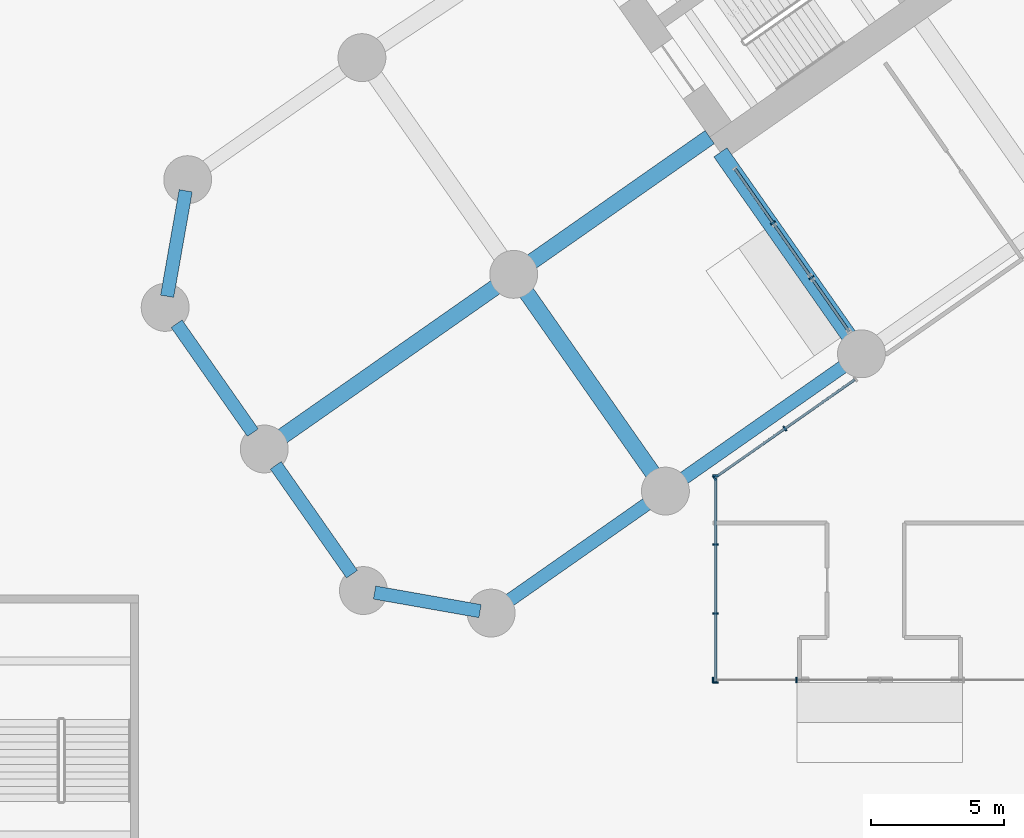
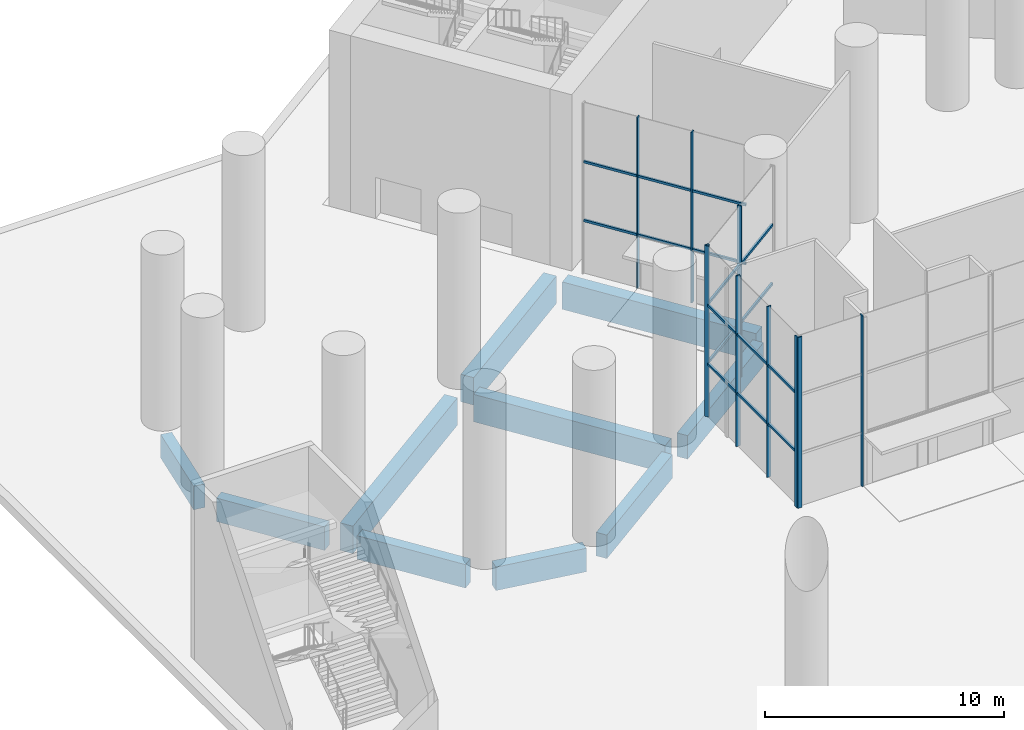
# One storey, part 4 of 37: 16 members, 10 beams, 4 elements without a shape of their own.
"""IFC4 building model written with IfcOpenShell, lengths in metres."""

from ifc_helpers import new_model, si_unit, direction, frame, origin, origin_2d, place, context, subcontext, project, spatial, rectangle, extrude, material, material_profile, profile_set, type_object, element, aggregate, save


model = new_model("IFC4")

# Units and contexts
model_context = context("Model", 3, precision=1e-05, world=origin(), true_north=direction((0.0, 1.0)))
body_context = subcontext(model_context, "Body", "Model", "MODEL_VIEW")
ifc_project = project(units=[si_unit("LENGTHUNIT", "METRE"), si_unit("AREAUNIT", "SQUARE_METRE"), si_unit("VOLUMEUNIT", "CUBIC_METRE"), si_unit("PLANEANGLEUNIT", "RADIAN"), si_unit("MASSUNIT", "GRAM", prefix="KILO")], contexts=[model_context])

# Site, building, storey
site_placement = place(None, origin())
site = spatial("IfcSite", under=ifc_project, at=site_placement, CompositionType="ELEMENT")
building_placement = place(site_placement, origin())
building = spatial("IfcBuilding", under=site, at=building_placement, Name="Tel Ilan Convention Tower", CompositionType="ELEMENT")
storey_placement = place(building_placement, origin())
storey = spatial("IfcBuildingStorey", under=building, at=storey_placement, Name="L00", CompositionType="ELEMENT", Elevation=0.0)

# Beams
ifc_material_1 = material(Name="Concrete C40/50", Category="concrete")
ifc_material_profile_1 = material_profile(ifc_material_1, rectangle(XDim=0.5, YDim=1.199951171875, at=origin_2d()), Name="RC 500x1200")
ifc_profile_set_1 = profile_set([ifc_material_profile_1], Name="Concrete C40/50")
beam_type_1 = type_object("IfcBeamType", Name="Beam RC 500x1200 Concrete C40/50", PredefinedType="BEAM", material=ifc_profile_set_1)
beam_1_placement = place(storey_placement, frame((-17.0244140625, -24.0673828125, -1.050048828125), z_axis=(-0.81915238829, -0.573575945067, 0.0), x_axis=(0.573575945067, -0.81915238829, 0.0)))
element("IfcBeam", 1, at=beam_1_placement, inside=storey, type_object=beam_type_1, Name="L00 beam W-W-F3-W-F4", PredefinedType="BEAM", context=body_context, shape_type="SweptSolid", body=[
    extrude(rectangle(XDim=0.5, YDim=1.199951171875, at=origin_2d()), origin(), (0.0, 0.0, 1.0), 7.5),
])
beam_2_placement = place(storey_placement, frame((-24.396728515625, -29.2294921875, -1.050048828125), z_axis=(-0.819148977158, -0.573580816643, 0.0), x_axis=(0.573580816643, -0.819148977158, 0.0)))
element("IfcBeam", 2, at=beam_2_placement, inside=storey, type_object=beam_type_1, Name="L00 beam W-W-F4-W-FC", PredefinedType="BEAM", context=body_context, shape_type="SweptSolid", body=[
    extrude(rectangle(XDim=0.5, YDim=1.199951171875, at=origin_2d()), origin(), (0.0, 0.0, 1.0), 6.5),
])
beam_3_placement = place(storey_placement, frame((-30.75341796875, -33.314208984375, -1.050048828125), z_axis=(-0.984815252405, 0.173605641124, 0.0), x_axis=(-0.173605641124, -0.984815252405, 0.0)))
element("IfcBeam", 3, at=beam_3_placement, inside=storey, type_object=beam_type_1, Name="L00 beam W-W-FC-W-E1", PredefinedType="BEAM", context=body_context, shape_type="SweptSolid", body=[
    extrude(rectangle(XDim=0.5, YDim=1.199951171875, at=origin_2d()), origin(), (0.0, 0.0, 1.0), 4.030517578125),
])
for number, where, z_axis, x_axis, name in (
    (4, (-35.57080078125, -31.92626953125, -1.050048828125), (-0.573586866468, 0.819144740944, 0.0), (-0.819144740944, -0.573586866468, 0.0), "L00 beam W-W-E1-W-E2"),
    (5, (-39.298828125, -26.601806640625, -1.050048828125), (-0.573586866468, 0.819144740944, 0.0), (-0.819144740944, -0.573586866468, 0.0), "L00 beam W-W-E2-W-E3"),
):
    element("IfcBeam", number, at=place(storey_placement, frame(where, z_axis=z_axis, x_axis=x_axis)), inside=storey, type_object=beam_type_1, Name=name, PredefinedType="BEAM", context=body_context, shape_type="SweptSolid", body=[
        extrude(rectangle(XDim=0.5, YDim=1.199951171875, at=origin_2d()), origin(), (0.0, 0.0, 1.0), 5.0),
    ])
beam_4_placement = place(storey_placement, frame((-42.523193359375, -21.473876953125, -1.050048828125), z_axis=(0.173605641124, 0.984815252405, 0.0), x_axis=(-0.984815252405, 0.173605641124, 0.0)))
element("IfcBeam", 6, at=beam_4_placement, inside=storey, type_object=beam_type_1, Name="L00 beam W-W-E3-W-BC", PredefinedType="BEAM", context=body_context, shape_type="SweptSolid", body=[
    extrude(rectangle(XDim=0.5, YDim=1.199951171875, at=origin_2d()), origin(), (0.0, 0.0, 1.0), 4.030517578125),
])
ifc_material_2 = material(Name="Concrete C40/50", Category="concrete")
ifc_material_profile_2 = material_profile(ifc_material_2, rectangle(XDim=0.60009765625, YDim=1.39990234375, at=origin_2d()), Name="RC 600x1400")
ifc_profile_set_2 = profile_set([ifc_material_profile_2], Name="Concrete C40/50")
beam_type_2 = type_object("IfcBeamType", Name="Beam RC 600x1400 Concrete C40/50", PredefinedType="BEAM", material=ifc_profile_set_2)
beam_5_placement = place(storey_placement, frame((-16.58203125, -23.391357421875, -1.14990234375), z_axis=(-0.573584999642, 0.819146048141, 0.0), x_axis=(-0.819146048141, -0.573584999642, 0.0)))
element("IfcBeam", 7, at=beam_5_placement, inside=storey, type_object=beam_type_2, Name="L00 beam W-W-F3-core", PredefinedType="BEAM", context=body_context, shape_type="SweptSolid", body=[
    extrude(rectangle(XDim=0.60009765625, YDim=1.39990234375, at=origin_2d()), origin(), (0.0, 0.0, 1.0), 8.949951171875),
])
beam_6_placement = place(storey_placement, frame((-22.1171875, -15.486572265625, -1.14990234375), z_axis=(-0.819149386388, -0.573580232209, 0.0), x_axis=(0.573580232209, -0.819149386388, 0.0)))
element("IfcBeam", 8, at=beam_6_placement, inside=storey, type_object=beam_type_2, Name="L00 beam W-core-W-M4", PredefinedType="BEAM", context=body_context, shape_type="SweptSolid", body=[
    extrude(rectangle(XDim=0.60009765625, YDim=1.39990234375, at=origin_2d()), origin(), (0.0, 0.0, 1.0), 8.199951171875),
])
beam_7_placement = place(storey_placement, frame((-30.144775390625, -21.107666015625, -1.14990234375), z_axis=(-0.819153232147, -0.573574739911, 0.0), x_axis=(0.573574739911, -0.819153232147, 0.0)))
element("IfcBeam", 9, at=beam_7_placement, inside=storey, type_object=beam_type_2, Name="L00 beam W-W-M4-end", PredefinedType="BEAM", context=body_context, shape_type="SweptSolid", body=[
    extrude(rectangle(XDim=0.60009765625, YDim=1.39990234375, at=origin_2d()), origin(), (0.0, 0.0, 1.0), 10.35009765625),
])
beam_8_placement = place(storey_placement, frame((-29.030517578125, -21.30419921875, -1.14990234375), z_axis=(0.573558616729, -0.819164521434, 0.0), x_axis=(0.819164521434, 0.573558616729, 0.0)))
element("IfcBeam", 10, at=beam_8_placement, inside=storey, type_object=beam_type_2, Name="L00 beam W-W-M4-W-F4", PredefinedType="BEAM", context=body_context, shape_type="SweptSolid", body=[
    extrude(rectangle(XDim=0.60009765625, YDim=1.39990234375, at=origin_2d()), origin(), (0.0, 0.0, 1.0), 8.849853515625),
])

# Curtain wall, members
ifc_material_3 = material(Name="Aluminium, bronze anodised", Category="aluminium")
curtain_wall_type = type_object("IfcCurtainWallType", Name="CW6 LOBBY PAVILION CURTAIN WALL, CLEAR GLASS", PredefinedType="NOTDEFINED", material=ifc_material_3)
curtain_wall_1_placement = place(storey_placement, origin())
curtain_wall_1 = element("IfcCurtainWall", 11, at=curtain_wall_1_placement, inside=storey, type_object=curtain_wall_type, Name="Curtain wall CW6-03.01", PredefinedType="NOTDEFINED")
ifc_material_4 = material(Name="Aluminium, bronze anodised", Category="aluminium")
ifc_material_profile_3 = material_profile(ifc_material_4, rectangle(XDim=0.06005859375, YDim=0.199951171875, at=origin_2d()), Name="CW MULLION 60x200")
ifc_profile_set_3 = profile_set([ifc_material_profile_3], Name="Aluminium, bronze anodised")
member_type_1 = type_object("IfcMemberType", Name="CW MULLION 60x200", PredefinedType="MULLION", material=ifc_profile_set_3)
member_1_placement = place(storey_placement, frame((-21.89990234375, -36.0, 0.0), z_axis=(0.0, 0.0, 1.0), x_axis=(0.0, 1.0, 0.0)))
member_1 = element("IfcMember", 12, at=member_1_placement, type_object=member_type_1, Name="Mullion", PredefinedType="MULLION", context=body_context, shape_type="SweptSolid", body=[
    extrude(rectangle(XDim=0.06005859375, YDim=0.199951171875, at=origin_2d()), origin(), (0.0, 0.0, 1.0), 8.719970703125),
])
member_2_placement = place(storey_placement, frame((-21.89990234375, -33.407470703125, 0.0), z_axis=(0.0, 0.0, 1.0), x_axis=(0.0, 1.0, 0.0)))
member_2 = element("IfcMember", 13, at=member_2_placement, type_object=member_type_1, Name="Mullion", PredefinedType="MULLION", context=body_context, shape_type="SweptSolid", body=[
    extrude(rectangle(XDim=0.06005859375, YDim=0.199951171875, at=origin_2d()), origin(), (0.0, 0.0, 1.0), 8.719970703125),
])
member_3_placement = place(storey_placement, frame((-21.89990234375, -30.815185546875, 0.0), z_axis=(0.0, 0.0, 1.0), x_axis=(0.0, 1.0, 0.0)))
member_3 = element("IfcMember", 14, at=member_3_placement, type_object=member_type_1, Name="Mullion", PredefinedType="MULLION", context=body_context, shape_type="SweptSolid", body=[
    extrude(rectangle(XDim=0.06005859375, YDim=0.199951171875, at=origin_2d()), origin(), (0.0, 0.0, 1.0), 8.719970703125),
])
member_4_placement = place(storey_placement, frame((-21.89990234375, -28.22265625, 0.0), z_axis=(0.0, 0.0, 1.0), x_axis=(0.0, 1.0, 0.0)))
member_4 = element("IfcMember", 15, at=member_4_placement, type_object=member_type_1, Name="Mullion", PredefinedType="MULLION", context=body_context, shape_type="SweptSolid", body=[
    extrude(rectangle(XDim=0.06005859375, YDim=0.199951171875, at=origin_2d()), origin(), (0.0, 0.0, 1.0), 8.719970703125),
])

curtain_wall_2_placement = place(storey_placement, origin())
curtain_wall_2 = element("IfcCurtainWall", 16, at=curtain_wall_2_placement, inside=storey, type_object=curtain_wall_type, Name="Curtain wall CW6-03.02", PredefinedType="NOTDEFINED")
member_5_placement = place(storey_placement, frame((-21.942626953125, -28.3046875, 0.0), z_axis=(0.0, 0.0, 1.0), x_axis=(0.819152044289, 0.573576436351, 0.0)))
member_5 = element("IfcMember", 17, at=member_5_placement, type_object=member_type_1, Name="Mullion", PredefinedType="MULLION", context=body_context, shape_type="SweptSolid", body=[
    extrude(rectangle(XDim=0.06005859375, YDim=0.199951171875, at=origin_2d()), origin(), (0.0, 0.0, 1.0), 8.719970703125),
])
member_6_placement = place(storey_placement, frame((-19.29150390625, -26.4482421875, 0.0), z_axis=(0.0, 0.0, 1.0), x_axis=(0.819152044289, 0.573576436351, 0.0)))
member_6 = element("IfcMember", 18, at=member_6_placement, type_object=member_type_1, Name="Mullion", PredefinedType="MULLION", context=body_context, shape_type="SweptSolid", body=[
    extrude(rectangle(XDim=0.06005859375, YDim=0.199951171875, at=origin_2d()), origin(), (0.0, 0.0, 1.0), 8.719970703125),
])

curtain_wall_3_placement = place(storey_placement, origin())
curtain_wall_3 = element("IfcCurtainWall", 19, at=curtain_wall_3_placement, inside=storey, type_object=curtain_wall_type, Name="Curtain wall CW6-03.05", PredefinedType="NOTDEFINED")
member_7_placement = place(storey_placement, frame((-18.857177734375, -35.89990234375, 0.0), z_axis=(0.0, 0.0, 1.0), x_axis=(-1.0, 0.0, 0.0)))
member_7 = element("IfcMember", 20, at=member_7_placement, type_object=member_type_1, Name="Mullion", PredefinedType="MULLION", context=body_context, shape_type="SweptSolid", body=[
    extrude(rectangle(XDim=0.06005859375, YDim=0.199951171875, at=origin_2d()), origin(), (0.0, 0.0, 1.0), 8.719970703125),
])
member_8_placement = place(storey_placement, frame((-22.0, -35.89990234375, 0.0), z_axis=(0.0, 0.0, 1.0), x_axis=(-1.0, 0.0, 0.0)))
member_8 = element("IfcMember", 21, at=member_8_placement, type_object=member_type_1, Name="Mullion", PredefinedType="MULLION", context=body_context, shape_type="SweptSolid", body=[
    extrude(rectangle(XDim=0.06005859375, YDim=0.199951171875, at=origin_2d()), origin(), (0.0, 0.0, 1.0), 8.719970703125),
])
aggregate(curtain_wall_3, [member_7, member_8])

curtain_wall_4_placement = place(storey_placement, origin())
curtain_wall_4 = element("IfcCurtainWall", 22, at=curtain_wall_4_placement, inside=storey, type_object=curtain_wall_type, Name="Curtain wall CW6-03.06", PredefinedType="NOTDEFINED")
member_9_placement = place(storey_placement, frame((-18.295166015625, -20.7705078125, 0.0), z_axis=(0.0, 0.0, 1.0), x_axis=(-0.573576436351, 0.819152044289, 0.0)))
member_9 = element("IfcMember", 23, at=member_9_placement, type_object=member_type_1, Name="Mullion", PredefinedType="MULLION", context=body_context, shape_type="SweptSolid", body=[
    extrude(rectangle(XDim=0.06005859375, YDim=0.199951171875, at=origin_2d()), origin(), (0.0, 0.0, 1.0), 8.719970703125),
])
member_10_placement = place(storey_placement, frame((-19.735107421875, -18.714111328125, 0.0), z_axis=(0.0, 0.0, 1.0), x_axis=(-0.573576436351, 0.819152044289, 0.0)))
member_10 = element("IfcMember", 24, at=member_10_placement, type_object=member_type_1, Name="Mullion", PredefinedType="MULLION", context=body_context, shape_type="SweptSolid", body=[
    extrude(rectangle(XDim=0.06005859375, YDim=0.199951171875, at=origin_2d()), origin(), (0.0, 0.0, 1.0), 8.719970703125),
])

# Member
ifc_material_5 = material(Name="Aluminium, bronze anodised", Category="aluminium")
ifc_material_profile_4 = material_profile(ifc_material_5, rectangle(XDim=0.10009765625, YDim=0.1201171875, at=origin_2d()), Name="CW TRANSOM 100x120")
ifc_profile_set_4 = profile_set([ifc_material_profile_4], Name="Aluminium, bronze anodised")
member_type_2 = type_object("IfcMemberType", Name="CW TRANSOM 100x120", PredefinedType="USERDEFINED", material=ifc_profile_set_4)
member_11_placement = place(storey_placement, frame((-21.89990234375, -35.969970703125, 2.699951171875), z_axis=(0.0, 1.0, 0.0), x_axis=(-1.0, 0.0, 0.0)))
member_11 = element("IfcMember", 25, at=member_11_placement, type_object=member_type_2, Name="Transom", ObjectType="TRANSOM", PredefinedType="USERDEFINED", context=body_context, shape_type="SweptSolid", body=[
    extrude(rectangle(XDim=0.10009765625, YDim=0.1201171875, at=origin_2d()), origin(), (0.0, 0.0, 1.0), 7.71728515625),
])

member_12_placement = place(storey_placement, frame((-21.89990234375, -35.969970703125, 5.699951171875), z_axis=(0.0, 1.0, 0.0), x_axis=(-1.0, 0.0, 0.0)))
member_12 = element("IfcMember", 26, at=member_12_placement, type_object=member_type_2, Name="Transom", ObjectType="TRANSOM", PredefinedType="USERDEFINED", context=body_context, shape_type="SweptSolid", body=[
    extrude(rectangle(XDim=0.10009765625, YDim=0.1201171875, at=origin_2d()), origin(), (0.0, 0.0, 1.0), 7.71728515625),
])

aggregate(curtain_wall_1, [member_1, member_2, member_3, member_4, member_11, member_12])

member_13_placement = place(storey_placement, frame((-21.91796875, -28.287353515625, 2.699951171875), z_axis=(0.819146058863, 0.57358498433, 0.0), x_axis=(-0.57358498433, 0.819146058863, 0.0)))
member_13 = element("IfcMember", 27, at=member_13_placement, type_object=member_type_2, Name="Transom", ObjectType="TRANSOM", PredefinedType="USERDEFINED", context=body_context, shape_type="SweptSolid", body=[
    extrude(rectangle(XDim=0.10009765625, YDim=0.1201171875, at=origin_2d()), origin(), (0.0, 0.0, 1.0), 6.41259765625),
])

member_14_placement = place(storey_placement, frame((-21.91796875, -28.287353515625, 5.699951171875), z_axis=(0.819146058863, 0.57358498433, 0.0), x_axis=(-0.57358498433, 0.819146058863, 0.0)))
member_14 = element("IfcMember", 28, at=member_14_placement, type_object=member_type_2, Name="Transom", ObjectType="TRANSOM", PredefinedType="USERDEFINED", context=body_context, shape_type="SweptSolid", body=[
    extrude(rectangle(XDim=0.10009765625, YDim=0.1201171875, at=origin_2d()), origin(), (0.0, 0.0, 1.0), 6.41259765625),
])

aggregate(curtain_wall_2, [member_5, member_6, member_13, member_14])

member_15_placement = place(storey_placement, frame((-16.87255859375, -22.80224609375, 2.699951171875), z_axis=(-0.573589546012, 0.819142864649, 0.0), x_axis=(-0.819142864649, -0.573589546012, 0.0)))
member_15 = element("IfcMember", 29, at=member_15_placement, type_object=member_type_2, Name="Transom", ObjectType="TRANSOM", PredefinedType="USERDEFINED", context=body_context, shape_type="SweptSolid", body=[
    extrude(rectangle(XDim=0.10009765625, YDim=0.1201171875, at=origin_2d()), origin(), (0.0, 0.0, 1.0), 7.470703125),
])

member_16_placement = place(storey_placement, frame((-16.87255859375, -22.80224609375, 5.699951171875), z_axis=(-0.573589546012, 0.819142864649, 0.0), x_axis=(-0.819142864649, -0.573589546012, 0.0)))
member_16 = element("IfcMember", 30, at=member_16_placement, type_object=member_type_2, Name="Transom", ObjectType="TRANSOM", PredefinedType="USERDEFINED", context=body_context, shape_type="SweptSolid", body=[
    extrude(rectangle(XDim=0.10009765625, YDim=0.1201171875, at=origin_2d()), origin(), (0.0, 0.0, 1.0), 7.470703125),
])

aggregate(curtain_wall_4, [member_9, member_10, member_15, member_16])

save(model, "model.ifc")
